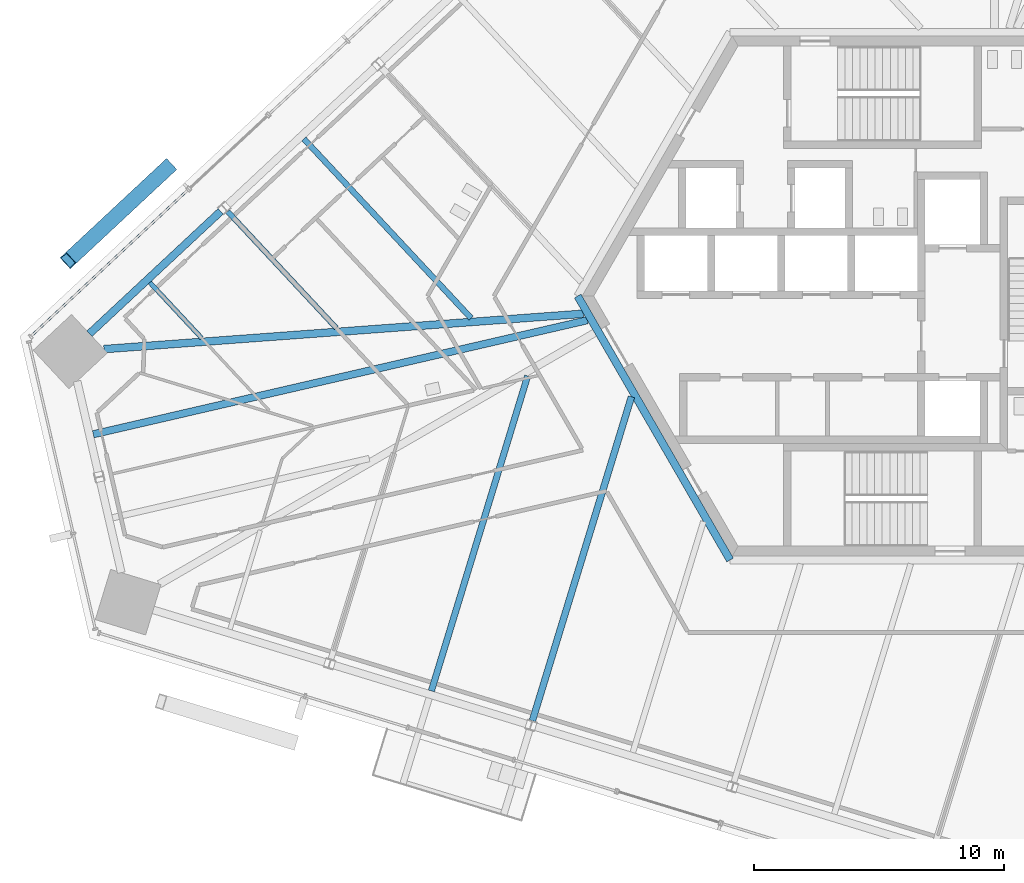
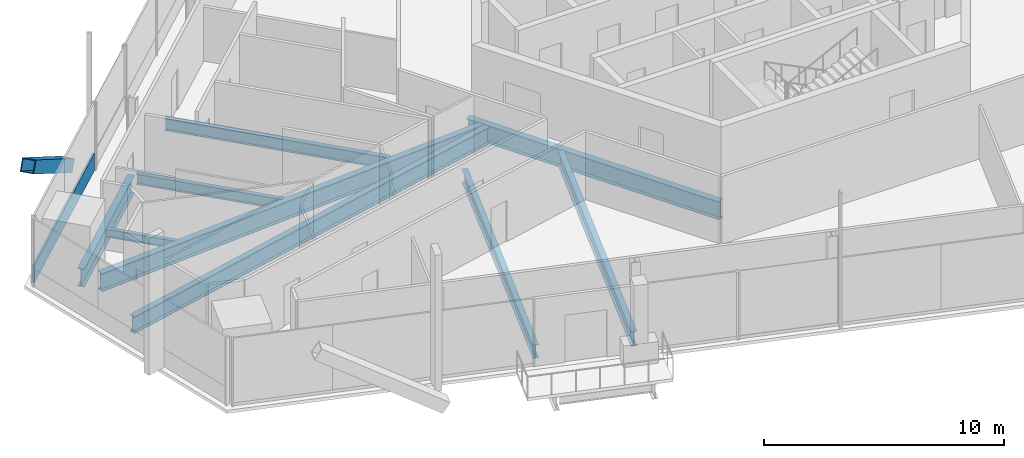
# One storey, part 5 of 24: 9 beams, 2 members, 1 element without a shape of its own.
"""IFC4 building model written with IfcOpenShell, lengths in metres."""

from ifc_helpers import new_model, si_unit, direction, frame, origin, origin_2d, place, context, subcontext, project, spatial, rectangle, hollow_rectangle, i_section, extrude, source, transform, mapped, material, material_profile, profile_set, type_object, element, aggregate, save


model = new_model("IFC4")

# Units and contexts
model_context = context("Model", 3, precision=1e-05, world=origin(), true_north=direction((0.0, 1.0)))
body_context = subcontext(model_context, "Body", "Model", "MODEL_VIEW")
ifc_project = project(units=[si_unit("LENGTHUNIT", "METRE"), si_unit("AREAUNIT", "SQUARE_METRE"), si_unit("VOLUMEUNIT", "CUBIC_METRE"), si_unit("PLANEANGLEUNIT", "RADIAN"), si_unit("MASSUNIT", "GRAM", prefix="KILO")], contexts=[model_context])

# Site, building, storey
site_placement = place(None, origin())
site = spatial("IfcSite", under=ifc_project, at=site_placement, CompositionType="ELEMENT")
building_placement = place(site_placement, origin())
building = spatial("IfcBuilding", under=site, at=building_placement, Name="Triune Harvest Tower", CompositionType="ELEMENT")
storey_placement = place(building_placement, frame((0.0, 0.0, 127.10009765625)))
storey = spatial("IfcBuildingStorey", under=building, at=storey_placement, Name="L32", CompositionType="ELEMENT", Elevation=127.10009765625)

# Beams
ifc_material_1 = material(Name="Steel ASTM A992 Gr 50", Category="steel")
ifc_material_profile_1 = material_profile(ifc_material_1, i_section(OverallWidth=0.3046875, OverallDepth=0.914306640625, WebThickness=0.0166015625, FlangeThickness=0.02587890625, at=origin_2d()), Name="W36x160")
ifc_profile_set_1 = profile_set([ifc_material_profile_1], Name="Steel ASTM A992 Gr 50")
beam_type_1 = type_object("IfcBeamType", Name="CG-1 Core ring girder W36x160", PredefinedType="BEAM", material=ifc_profile_set_1)
shared_shape_1 = source(origin(), body_context, "Body", "SweptSolid", [
    extrude(i_section(OverallWidth=0.3046875, OverallDepth=0.914306640625, WebThickness=0.0166015625, FlangeThickness=0.02587890625, at=origin_2d()), origin(), (0.0, 0.0, 1.0), 12.176025390625),
])
beam_1_placement = place(storey_placement, frame((-12.176025390625, 0.0, -0.6171875), z_axis=(0.5000099932, -0.866019634131, 0.0), x_axis=(0.866019634131, 0.5000099932, 0.0)))
element("IfcBeam", 1, at=beam_1_placement, inside=storey, type_object=beam_type_1, Name="beam/L32/CG4", PredefinedType="BEAM", context=body_context, shape_type="MappedRepresentation", body=[
    mapped(shared_shape_1, transform((0.0, 0.0, 0.0), scale=1.0)),
])
ifc_material_2 = material(Name="Steel ASTM A992 Gr 50", Category="steel")
ifc_material_profile_2 = material_profile(ifc_material_2, i_section(OverallWidth=0.3046875, OverallDepth=0.914306640625, WebThickness=0.0166015625, FlangeThickness=0.02587890625, at=origin_2d()), Name="W36x160")
ifc_profile_set_2 = profile_set([ifc_material_profile_2], Name="Steel ASTM A992 Gr 50")
beam_type_2 = type_object("IfcBeamType", Name="SB-1 Spandrel beam W36x160", PredefinedType="SPANDREL", material=ifc_profile_set_2)
shared_shape_2 = source(origin(), body_context, "Body", "SweptSolid", [
    extrude(i_section(OverallWidth=0.3046875, OverallDepth=0.914306640625, WebThickness=0.0166015625, FlangeThickness=0.02587890625, at=origin_2d()), origin(), (0.0, 0.0, 1.0), 7.16650390625),
])
beam_2_placement = place(storey_placement, frame((-26.4375, 3.384521484375, -0.6171875), z_axis=(-0.731357675554, -0.681994098515, 0.0), x_axis=(0.681994098515, -0.731357675554, 0.0)))
element("IfcBeam", 2, at=beam_2_placement, inside=storey, type_object=beam_type_2, Name="beam/L32/SB14", PredefinedType="SPANDREL", context=body_context, shape_type="MappedRepresentation", body=[
    mapped(shared_shape_2, transform((0.0, 0.0, 0.0), scale=1.0)),
])
ifc_material_3 = material(Name="Steel ASTM A992 Gr 50", Category="steel")
ifc_material_profile_3 = material_profile(ifc_material_3, i_section(OverallWidth=0.307373046875, OverallDepth=0.922119140625, WebThickness=0.018310546875, FlangeThickness=0.030029296875, at=origin_2d()), Name="W36x182")
ifc_profile_set_3 = profile_set([ifc_material_profile_3], Name="Steel ASTM A992 Gr 50")
beam_type_3 = type_object("IfcBeamType", Name="HG-2 Hip girder W36x182", PredefinedType="BEAM", material=ifc_profile_set_3)
shared_shape_3 = source(origin(), body_context, "Body", "SweptSolid", [
    extrude(i_section(OverallWidth=0.307373046875, OverallDepth=0.922119140625, WebThickness=0.018310546875, FlangeThickness=0.030029296875, at=origin_2d()), origin(), (0.0, 0.0, 1.0), 19.2109375),
])
beam_3_placement = place(storey_placement, frame((-31.103515625, -2.119873046875, -0.62109375), z_axis=(0.997285410262, 0.07363294425, 0.0), x_axis=(-0.07363294425, 0.997285410262, 0.0)))
element("IfcBeam", 3, at=beam_3_placement, inside=storey, type_object=beam_type_3, Name="beam/L32/HG5", PredefinedType="BEAM", context=body_context, shape_type="MappedRepresentation", body=[
    mapped(shared_shape_3, transform((0.0, 0.0, 0.0), scale=1.0)),
])
ifc_material_4 = material(Name="Steel ASTM A992 Gr 50", Category="steel")
ifc_material_profile_4 = material_profile(ifc_material_4, i_section(OverallWidth=0.22900390625, OverallDepth=0.612060546875, WebThickness=0.011962890625, FlangeThickness=0.01953125, at=origin_2d()), Name="W24x84")
ifc_profile_set_4 = profile_set([ifc_material_profile_4], Name="Steel ASTM A992 Gr 50")
beam_type_4 = type_object("IfcBeamType", Name="JT-3 Floor joist W24x84", PredefinedType="JOIST", material=ifc_profile_set_4)
shared_shape_4 = source(origin(), body_context, "Body", "SweptSolid", [
    extrude(i_section(OverallWidth=0.22900390625, OverallDepth=0.612060546875, WebThickness=0.011962890625, FlangeThickness=0.01953125, at=origin_2d()), origin(), (0.0, 0.0, 1.0), 9.790283203125),
])
beam_4_placement = place(storey_placement, frame((-23.11181640625, 6.27734375, -0.46630859375), z_axis=(0.682000995077, -0.731351244419, 0.0), x_axis=(0.731351244419, 0.682000995077, 0.0)))
element("IfcBeam", 4, at=beam_4_placement, inside=storey, type_object=beam_type_4, Name="beam/L32/JT22", PredefinedType="JOIST", context=body_context, shape_type="MappedRepresentation", body=[
    mapped(shared_shape_4, transform((0.0, 0.0, 0.0), scale=1.0)),
])
ifc_material_5 = material(Name="Steel ASTM A992 Gr 50", Category="steel")
ifc_material_profile_5 = material_profile(ifc_material_5, i_section(OverallWidth=0.180908203125, OverallDepth=0.41650390625, WebThickness=0.010986328125, FlangeThickness=0.01806640625, at=origin_2d()), Name="W16x57")
ifc_profile_set_5 = profile_set([ifc_material_profile_5], Name="Steel ASTM A992 Gr 50")
beam_type_5 = type_object("IfcBeamType", Name="JT-1 Floor joist W16x57", PredefinedType="JOIST", material=ifc_profile_set_5)
shared_shape_5 = source(origin(), body_context, "Body", "SweptSolid", [
    extrude(i_section(OverallWidth=0.180908203125, OverallDepth=0.41650390625, WebThickness=0.010986328125, FlangeThickness=0.01806640625, at=origin_2d()), origin(), (0.0, 0.0, 1.0), 3.0302734375),
])
beam_5_placement = place(storey_placement, frame((-29.265625, 0.538818359375, -0.368408203125), z_axis=(0.681982331581, -0.731368648091, 0.0), x_axis=(0.731368648091, 0.681982331581, 0.0)))
element("IfcBeam", 5, at=beam_5_placement, inside=storey, type_object=beam_type_5, Name="beam/L32/JT24", PredefinedType="JOIST", context=body_context, shape_type="MappedRepresentation", body=[
    mapped(shared_shape_5, transform((0.0, 0.0, 0.0), scale=1.0)),
])
ifc_material_6 = material(Name="Steel ASTM A992 Gr 50", Category="steel")
ifc_material_profile_6 = material_profile(ifc_material_6, i_section(OverallWidth=0.253662109375, OverallDepth=0.683349609375, WebThickness=0.012451171875, FlangeThickness=0.01904296875, at=origin_2d()), Name="W27x94")
ifc_profile_set_6 = profile_set([ifc_material_profile_6], Name="Steel ASTM A992 Gr 50")
beam_type_6 = type_object("IfcBeamType", Name="JT-4 Floor joist W27x94", PredefinedType="JOIST", material=ifc_profile_set_6)
shared_shape_6 = source(origin(), body_context, "Body", "SweptSolid", [
    extrude(i_section(OverallWidth=0.253662109375, OverallDepth=0.683349609375, WebThickness=0.012451171875, FlangeThickness=0.01904296875, at=origin_2d()), origin(), (0.0, 0.0, 1.0), 13.157470703125),
])
beam_6_placement = place(storey_placement, frame((-18.02099609375, -15.773681640625, -0.501708984375), z_axis=(0.292375983311, 0.956303447857, 0.0), x_axis=(-0.956303447857, 0.292375983311, 0.0)))
element("IfcBeam", 6, at=beam_6_placement, inside=storey, type_object=beam_type_6, Name="beam/L32/JT29", PredefinedType="JOIST", context=body_context, shape_type="MappedRepresentation", body=[
    mapped(shared_shape_6, transform((0.0, 0.0, 0.0), scale=1.0)),
])
ifc_material_7 = material(Name="Steel ASTM A992 Gr 50", Category="steel")
ifc_material_profile_7 = material_profile(ifc_material_7, i_section(OverallWidth=0.2099609375, OverallDepth=0.535888671875, WebThickness=0.010986328125, FlangeThickness=0.017333984375, at=origin_2d()), Name="W21x68")
ifc_profile_set_7 = profile_set([ifc_material_profile_7], Name="Steel ASTM A992 Gr 50")
beam_type_7 = type_object("IfcBeamType", Name="JT-2 Floor joist W21x68", PredefinedType="JOIST", material=ifc_profile_set_7)
shared_shape_7 = source(origin(), body_context, "Body", "SweptSolid", [
    extrude(i_section(OverallWidth=0.2099609375, OverallDepth=0.535888671875, WebThickness=0.010986328125, FlangeThickness=0.017333984375, at=origin_2d()), origin(), (0.0, 0.0, 1.0), 6.3720703125),
])
beam_7_placement = place(storey_placement, frame((-26.16259765625, 3.380126953125, -0.427978515625), z_axis=(0.682001475832, -0.731350796105, 0.0), x_axis=(0.731350796105, 0.682001475832, 0.0)))
element("IfcBeam", 7, at=beam_7_placement, inside=storey, type_object=beam_type_7, Name="beam/L32/JT23", PredefinedType="JOIST", context=body_context, shape_type="MappedRepresentation", body=[
    mapped(shared_shape_7, transform((0.0, 0.0, 0.0), scale=1.0)),
])
ifc_material_8 = material(Name="Steel ASTM A992 Gr 50", Category="steel")
ifc_material_profile_8 = material_profile(ifc_material_8, i_section(OverallWidth=0.2919921875, OverallDepth=0.8583984375, WebThickness=0.01708984375, FlangeThickness=0.031005859375, at=origin_2d()), Name="W33x169")
ifc_profile_set_8 = profile_set([ifc_material_profile_8], Name="Steel ASTM A992 Gr 50")
beam_type_8 = type_object("IfcBeamType", Name="JT-7 Floor joist W33x169", PredefinedType="JOIST", material=ifc_profile_set_8)
shared_shape_8 = source(origin(), body_context, "Body", "SweptSolid", [
    extrude(i_section(OverallWidth=0.2919921875, OverallDepth=0.8583984375, WebThickness=0.01708984375, FlangeThickness=0.031005859375, at=origin_2d()), origin(), (0.0, 0.0, 1.0), 20.25244140625),
])
beam_8_placement = place(storey_placement, frame((-31.52783203125, -5.521484375, -0.58935546875), z_axis=(0.974371687507, 0.224944025448, 0.0), x_axis=(-0.224944025448, 0.974371687507, 0.0)))
element("IfcBeam", 8, at=beam_8_placement, inside=storey, type_object=beam_type_8, Name="beam/L32/JT25", PredefinedType="JOIST", context=body_context, shape_type="MappedRepresentation", body=[
    mapped(shared_shape_8, transform((0.0, 0.0, 0.0), scale=1.0)),
])
ifc_material_9 = material(Name="Steel ASTM A992 Gr 50", Category="steel")
ifc_material_profile_9 = material_profile(ifc_material_9, i_section(OverallWidth=0.2666015625, OverallDepth=0.7568359375, WebThickness=0.013916015625, FlangeThickness=0.019287109375, at=origin_2d()), Name="W30x108")
ifc_profile_set_9 = profile_set([ifc_material_profile_9], Name="Steel ASTM A992 Gr 50")
beam_type_9 = type_object("IfcBeamType", Name="JT-5 Floor joist W30x108", PredefinedType="JOIST", material=ifc_profile_set_9)
shared_shape_9 = source(origin(), body_context, "Body", "SweptSolid", [
    extrude(i_section(OverallWidth=0.2666015625, OverallDepth=0.7568359375, WebThickness=0.013916015625, FlangeThickness=0.019287109375, at=origin_2d()), origin(), (0.0, 0.0, 1.0), 13.53515625),
])
beam_9_placement = place(storey_placement, frame((-13.986328125, -16.96728515625, -0.53857421875), z_axis=(0.292367922799, 0.956305912205, 0.0), x_axis=(-0.956305912205, 0.292367922799, 0.0)))
element("IfcBeam", 9, at=beam_9_placement, inside=storey, type_object=beam_type_9, Name="beam/L32/JT30", PredefinedType="JOIST", context=body_context, shape_type="MappedRepresentation", body=[
    mapped(shared_shape_9, transform((0.0, 0.0, 0.0), scale=1.0)),
])

# Member
ifc_material_10 = material(Name="Steel ASTM A572 Gr 50", Category="steel")
ifc_material_profile_10 = material_profile(ifc_material_10, hollow_rectangle(XDim=0.60009765625, YDim=0.60009765625, WallThickness=0.0400390625, at=origin_2d()), Name="Box 600x600x40")
ifc_profile_set_10 = profile_set([ifc_material_profile_10], Name="Steel ASTM A572 Gr 50")
member_type_1 = type_object("IfcMemberType", Name="BR-2 Brace Box 600x600x40", PredefinedType="BRACE", material=ifc_profile_set_10)
shared_shape_10 = source(origin(), body_context, "Body", "SweptSolid", [
    extrude(hollow_rectangle(XDim=0.60009765625, YDim=0.60009765625, WallThickness=0.0400390625, at=origin_2d()), origin(), (0.0, 0.0, 1.0), 6.56640625),
])
member_1_placement = place(storey_placement, frame((-28.5146484375, 5.164794921875, 0.0), z_axis=(-0.611651490856, -0.570381467462, 0.548222067514), x_axis=(0.682002980671, -0.731349392805, 0.0)))
element("IfcMember", 10, at=member_1_placement, inside=storey, type_object=member_type_1, Name="brace/B3-F3/d1/9", PredefinedType="BRACE", context=body_context, shape_type="MappedRepresentation", body=[
    mapped(shared_shape_10, transform((0.0, 0.0, 0.0), scale=1.0)),
])

# Curtain wall, member
ifc_material_11 = material(Name="Aluminium bronze anodised", Category="aluminium")
curtain_wall_type = type_object("IfcCurtainWallType", Name="CW-7 Tower stick curtain wall with insulated spandrel infill", PredefinedType="NOTDEFINED", material=ifc_material_11)
curtain_wall_placement = place(storey_placement, origin())
curtain_wall = element("IfcCurtainWall", 11, at=curtain_wall_placement, inside=storey, type_object=curtain_wall_type, Name="CW-7 B3-F3 L32 run 4001")
ifc_material_12 = material(Name="Aluminium bronze anodised", Category="aluminium")
ifc_material_profile_11 = material_profile(ifc_material_12, rectangle(XDim=0.090087890625, YDim=0.89990234375, at=origin_2d()), Name="TR-1 transom 90 x 900")
ifc_profile_set_11 = profile_set([ifc_material_profile_11], Name="Aluminium bronze anodised")
member_type_2 = type_object("IfcMemberType", Name="TR-1 transom 90 x 900", PredefinedType="USERDEFINED", material=ifc_profile_set_11)
shared_shape_11 = source(origin(), body_context, "Body", "SweptSolid", [
    extrude(rectangle(XDim=0.090087890625, YDim=0.89990234375, at=origin_2d()), origin(), (0.0, 0.0, 1.0), 8.526611328125),
])
member_2_placement = place(storey_placement, frame((-27.766845703125, 4.221435546875, 0.449951171875), z_axis=(-0.731357026947, -0.681994794067, 0.0), x_axis=(0.681994794067, -0.731357026947, 0.0)))
member_2 = element("IfcMember", 12, at=member_2_placement, type_object=member_type_2, Name="CW-7 transom B3-F3 4001.1", ObjectType="TRANSOM", PredefinedType="USERDEFINED", context=body_context, shape_type="MappedRepresentation", body=[
    mapped(shared_shape_11, transform((0.0, 0.0, 0.0), scale=1.0)),
])
aggregate(curtain_wall, [member_2])

save(model, "model.ifc")
